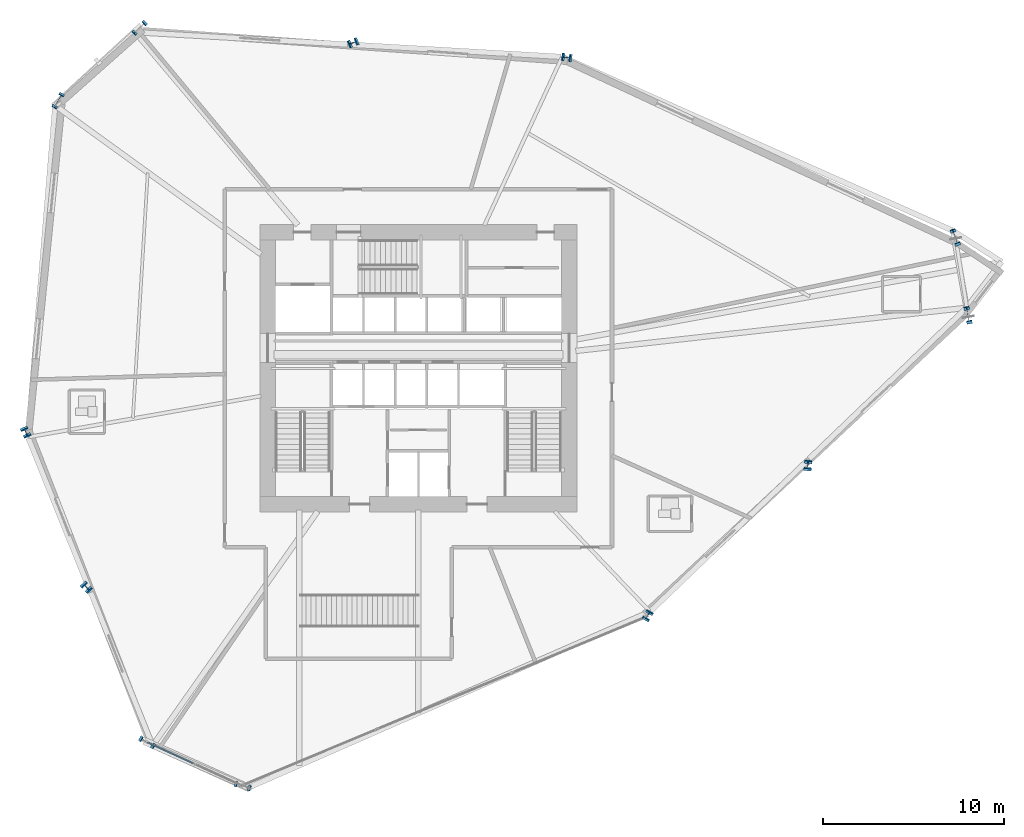
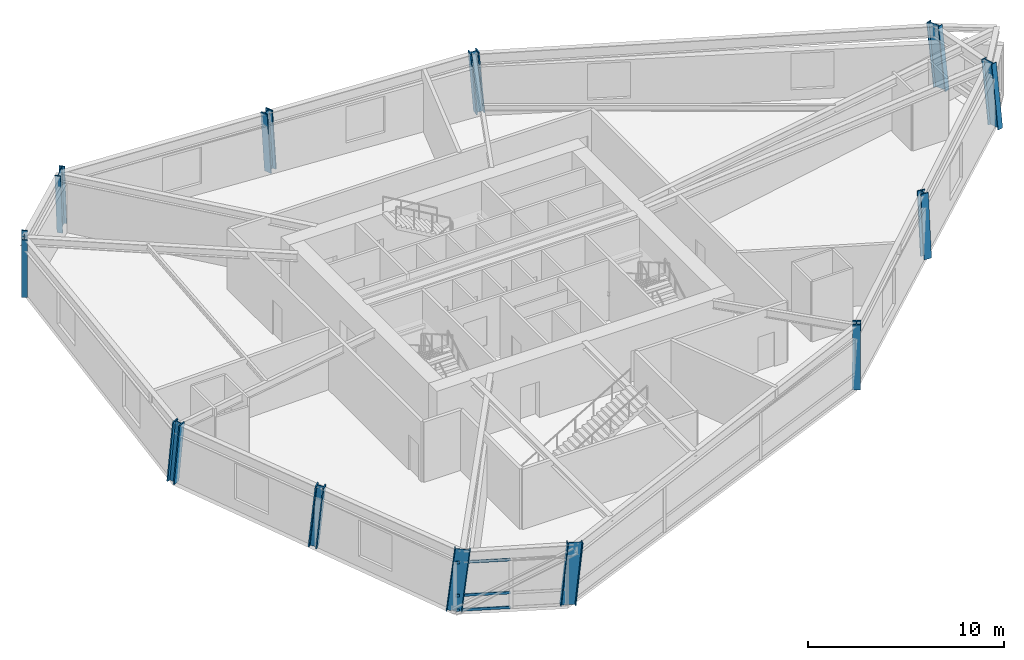
# One storey, part 1 of 19: 12 columns, 3 members, 1 element without a shape of its own.
"""IFC4 building model written with IfcOpenShell, lengths in metres."""

import ifcopenshell
import ifcopenshell.guid

model = None  # the IFC model being written
_history = None  # IfcOwnerHistory: only IFC2X3 demands one
_inside = {}  # id of a spatial element -> (the spatial element, [elements in it])
_under = {}  # id of a project, library or spatial element -> (it, [spatial elements below it])
_declared = {}  # id of a project -> (the project, [libraries it declares])
_typed = {}  # id of a type object -> (the type object, [elements of that type])
_made_of = {}  # id of a material, layer set ... -> (it, [elements and type objects made of it])


def new_model(schema):
    """Start an empty IFC model of exactly this schema.

    Asked for "IFC4X3", IfcOpenShell would pick the latest addendum, in which some entities
    have other attributes; the version numbers below select the first issue.
    IFC2X3 requires an IfcOwnerHistory on every rooted entity: one is made here for all.
    """
    global model, _history
    if schema == "IFC4X3":
        model = ifcopenshell.file(schema_version=(4, 3, 0, 0))
    else:
        model = ifcopenshell.file(schema=schema)
    _inside.clear()
    _under.clear()
    _declared.clear()
    _typed.clear()
    _made_of.clear()
    _history = None
    if model.schema == "IFC2X3":
        org = make("IfcOrganization", Name="unknown")
        user = make(
            "IfcPersonAndOrganization",
            ThePerson=make("IfcPerson", FamilyName="unknown"),
            TheOrganization=org,
        )
        app = make(
            "IfcApplication",
            ApplicationDeveloper=org,
            Version="unknown",
            ApplicationFullName="unknown",
            ApplicationIdentifier="unknown",
        )
        _history = make(
            "IfcOwnerHistory",
            OwningUser=user,
            OwningApplication=app,
            ChangeAction="ADDED",
            CreationDate=0,
        )
    return model


def make(cls, **values):
    """One entity of the class cls with the attributes given. An attribute that is None is left unset."""
    return model.create_entity(
        cls, **{name: value for name, value in values.items() if value is not None}
    )


def rooted(cls, **values):
    """An entity with a GlobalId (a new one), such as an element, a storey or a relation."""
    return make(cls, GlobalId=ifcopenshell.guid.new(), OwnerHistory=_history, **values)


def si_unit(unit_type, name, prefix=None):
    """IfcSIUnit, for example si_unit("LENGTHUNIT", "METRE", prefix="MILLI")."""
    return make("IfcSIUnit", UnitType=unit_type, Prefix=prefix, Name=name)


def assignment(units):
    """IfcUnitAssignment: the units of a project."""
    return None if units is None else make("IfcUnitAssignment", Units=units)


def point(xyz):
    """IfcCartesianPoint."""
    return None if xyz is None else make("IfcCartesianPoint", Coordinates=xyz)


def direction(xyz):
    """IfcDirection."""
    return None if xyz is None else make("IfcDirection", DirectionRatios=xyz)


def frame(location, z_axis=None, x_axis=None):
    """IfcAxis2Placement3D, a coordinate frame: its origin and axes. An axis left out is left unset."""
    return make(
        "IfcAxis2Placement3D",
        Location=point(location),
        Axis=direction(z_axis),
        RefDirection=direction(x_axis),
    )


def frame_2d(location, x_axis=None):
    """IfcAxis2Placement2D, a coordinate frame in the plane: its origin and x axis."""
    return make(
        "IfcAxis2Placement2D", Location=point(location), RefDirection=direction(x_axis)
    )


def origin():
    """The frame at (0, 0, 0) with its axes left unset."""
    return frame((0.0, 0.0, 0.0))


def origin_2d():
    """The frame at (0, 0) in the plane with its x axis left unset."""
    return frame_2d((0.0, 0.0))


def place(relative_to, where):
    """IfcLocalPlacement: puts the frame where relative to a parent placement (None: the world)."""
    return make(
        "IfcLocalPlacement", PlacementRelTo=relative_to, RelativePlacement=where
    )


def context(
    kind, dimensions, precision=None, world=None, true_north=None, identifier=None
):
    """IfcGeometricRepresentationContext, for example the 3D "Model" context."""
    return make(
        "IfcGeometricRepresentationContext",
        ContextIdentifier=identifier,
        ContextType=kind,
        CoordinateSpaceDimension=dimensions,
        Precision=precision,
        WorldCoordinateSystem=world,
        TrueNorth=true_north,
    )


def subcontext(parent, identifier, kind, view, scale=None):
    """IfcGeometricRepresentationSubContext, for example "Body" below "Model"."""
    return make(
        "IfcGeometricRepresentationSubContext",
        ContextIdentifier=identifier,
        ContextType=kind,
        ParentContext=parent,
        TargetScale=scale,
        TargetView=view,
    )


def project(units=None, contexts=None):
    """IfcProject with its units and contexts."""
    return rooted(
        "IfcProject",
        Name="project",
        RepresentationContexts=contexts,
        UnitsInContext=assignment(units),
    )


def spatial(cls, under=None, at=None, **own):
    """A site, building, storey or space (cls), placed at a placement, below another one or the project."""
    s = rooted(cls, ObjectPlacement=at, **own)
    if under is not None:
        _under.setdefault(under.id(), (under, []))[1].append(s)
    return s


def profile(cls, at=None, kind="AREA", **sizes):
    """A parametric profile (cls). Its sizes go by their IFC names, for example OverallWidth=200.0."""
    return make(cls, ProfileType=kind, Position=at, **sizes)


def hollow_rectangle(**sizes):
    """IfcRectangleHollowProfileDef."""
    return profile("IfcRectangleHollowProfileDef", **sizes)


def i_section(**sizes):
    """IfcIShapeProfileDef."""
    return profile("IfcIShapeProfileDef", **sizes)


def extrude(swept, where, along, depth):
    """IfcExtrudedAreaSolid: the profile swept, set in the frame where, extruded along a direction by depth."""
    return make(
        "IfcExtrudedAreaSolid",
        SweptArea=swept,
        Position=where,
        ExtrudedDirection=direction(along),
        Depth=depth,
    )


def shape(context_of_items, identifier, shape_type, items):
    """IfcShapeRepresentation: the items that make up one representation, for example the "Body"."""
    return make(
        "IfcShapeRepresentation",
        ContextOfItems=context_of_items,
        RepresentationIdentifier=identifier,
        RepresentationType=shape_type,
        Items=items,
    )


def source(mapping_origin, context_of_items, identifier, shape_type, items):
    """IfcRepresentationMap: a shape defined once, which mapped items show again and again."""
    return make(
        "IfcRepresentationMap",
        MappingOrigin=mapping_origin,
        MappedRepresentation=shape(context_of_items, identifier, shape_type, items),
    )


def transform(
    local_origin,
    x_axis=None,
    y_axis=None,
    z_axis=None,
    scale=None,
    scale2=None,
    scale3=None,
    uniform=True,
):
    """IfcCartesianTransformationOperator3D, or its non-uniform kind. x_axis, y_axis, z_axis: its Axis1, 2, 3."""
    if uniform:
        return make(
            "IfcCartesianTransformationOperator3D",
            Axis1=direction(x_axis),
            Axis2=direction(y_axis),
            LocalOrigin=point(local_origin),
            Scale=scale,
            Axis3=direction(z_axis),
        )
    return make(
        "IfcCartesianTransformationOperator3DnonUniform",
        Axis1=direction(x_axis),
        Axis2=direction(y_axis),
        LocalOrigin=point(local_origin),
        Scale=scale,
        Axis3=direction(z_axis),
        Scale2=scale2,
        Scale3=scale3,
    )


def mapped(mapping_source, mapping_target):
    """IfcMappedItem: shows the shape of a source again, moved by a transform."""
    return make(
        "IfcMappedItem", MappingSource=mapping_source, MappingTarget=mapping_target
    )


def material(Name=None, Category=None):
    """IfcMaterial."""
    return make("IfcMaterial", Name=Name, Category=Category)


def material_profile(
    of_material, cross_section, Name=None, Category=None, Priority=None
):
    """IfcMaterialProfile: a cross section and its material."""
    return make(
        "IfcMaterialProfile",
        Name=Name,
        Material=of_material,
        Profile=cross_section,
        Priority=Priority,
        Category=Category,
    )


def profile_set(profiles, Name=None, composite=None):
    """IfcMaterialProfileSet."""
    return make(
        "IfcMaterialProfileSet",
        Name=Name,
        MaterialProfiles=profiles,
        CompositeProfile=composite,
    )


def made_of(thing, what):
    """Note that an element or type object is made of a material, layer set ...; save() writes the relation."""
    if what is not None:
        _made_of.setdefault(what.id(), (what, []))[1].append(thing)
    return thing


def type_object(cls, material=None, **own):
    """A type object (cls), such as IfcWallType, which elements share."""
    return made_of(rooted(cls, **own), material)


def element(
    cls,
    number,
    at=None,
    inside=None,
    cuts=None,
    type_object=None,
    material=None,
    context=None,
    identifier="Body",
    shape_type=None,
    held_by="IfcProductDefinitionShape",
    body=None,
    shapes=None,
    **own,
):
    """One element of the class cls, such as IfcWall. Its Tag is "e" and its number.

    at: its placement. inside: the storey or other place that contains it. cuts: it is an
    opening in that element (IfcRelVoidsElement). A single representation is given by context,
    identifier, shape_type and body (its items); several are given by shapes. held_by: the class
    of the entity that holds the representations. save() writes the other relations.
    """
    e = rooted(cls, Tag="e%d" % number, ObjectPlacement=at, **own)
    if body is not None:
        shapes = [shape(context, identifier, shape_type, body)]
    if shapes is not None:
        e.Representation = make(held_by, Representations=shapes)
    if inside is not None:
        _inside.setdefault(inside.id(), (inside, []))[1].append(e)
    if cuts is not None:
        rooted(
            "IfcRelVoidsElement", RelatingBuildingElement=cuts, RelatedOpeningElement=e
        )
    if type_object is not None:
        _typed.setdefault(type_object.id(), (type_object, []))[1].append(e)
    return made_of(e, material)


def aggregate(whole, parts):
    """IfcRelAggregates: a whole, such as a stair, and the parts it consists of."""
    return rooted("IfcRelAggregates", RelatingObject=whole, RelatedObjects=parts)


def save(model, path):
    """Write the relations noted so far, then the file.

    IfcRelAggregates (storeys below a building ...), IfcRelContainedInSpatialStructure (elements
    in a storey), IfcRelDefinesByType, IfcRelAssociatesMaterial and IfcRelDeclares: one each for
    every whole, place, type object, material and project.
    """
    for whole, parts in _under.values():
        aggregate(whole, parts)
    for where, things in _inside.values():
        rooted(
            "IfcRelContainedInSpatialStructure",
            RelatedElements=things,
            RelatingStructure=where,
        )
    for kind, things in _typed.values():
        rooted("IfcRelDefinesByType", RelatedObjects=things, RelatingType=kind)
    for what, things in _made_of.values():
        rooted("IfcRelAssociatesMaterial", RelatedObjects=things, RelatingMaterial=what)
    for by, libraries in _declared.values():
        rooted("IfcRelDeclares", RelatingContext=by, RelatedDefinitions=libraries)
    model.write(path)


model = new_model("IFC4")

# Units and contexts
model_context = context("Model", 3, precision=1e-05, world=origin(), true_north=direction((0.0, 1.0)))
body_context = subcontext(model_context, "Body", "Model", "MODEL_VIEW")
ifc_project = project(units=[si_unit("LENGTHUNIT", "METRE"), si_unit("AREAUNIT", "SQUARE_METRE"), si_unit("VOLUMEUNIT", "CUBIC_METRE"), si_unit("PLANEANGLEUNIT", "RADIAN"), si_unit("MASSUNIT", "GRAM", prefix="KILO")], contexts=[model_context])

# Site, building, storey
site_placement = place(None, origin())
site = spatial("IfcSite", under=ifc_project, at=site_placement, CompositionType="ELEMENT")
building_placement = place(site_placement, origin())
building = spatial("IfcBuilding", under=site, at=building_placement, Name="Olszyna Solenne Hotel", CompositionType="ELEMENT")
storey_placement = place(building_placement, frame((0.0, 0.0, 71.89990234375)))
storey = spatial("IfcBuildingStorey", under=building, at=storey_placement, Name="L18", CompositionType="ELEMENT", Elevation=71.89990234375)

# Columns
ifc_material_1 = material(Name="Steel S460M", Category="steel")
ifc_material_profile_1 = material_profile(ifc_material_1, i_section(OverallWidth=0.30810546875, OverallDepth=0.81396484375, WebThickness=0.02099609375, FlangeThickness=0.0400390625, at=origin_2d()), Name="HEM 800", Category="load-bearing")
ifc_profile_set_1 = profile_set([ifc_material_profile_1], Name="Steel S460M")
column_type_1 = type_object("IfcColumnType", Name="COL-K1", PredefinedType="COLUMN", material=ifc_profile_set_1)
shared_shape_1 = source(origin(), body_context, "Body", "SweptSolid", [
    extrude(i_section(OverallWidth=0.30810546875, OverallDepth=0.81396484375, WebThickness=0.02099609375, FlangeThickness=0.0400390625, at=origin_2d()), origin(), (0.0, 0.0, 1.0), 3.8671875),
])
column_1_placement = place(storey_placement, frame((68.390625, 29.455078125, 0.0), z_axis=(-0.024620663351, 0.126133552244, 0.991707693796), x_axis=(-0.981477077245, -0.191579609672, 0.0)))
element("IfcColumn", 1, at=column_1_placement, inside=storey, type_object=column_type_1, Name="Perimeter framed-tube column COL-K1 C-L18-01", PredefinedType="COLUMN", context=body_context, shape_type="MappedRepresentation", body=[
    mapped(shared_shape_1, transform((0.0, 0.0, 0.0), x_axis=(1.0, 0.0, 0.0), y_axis=(0.0, 1.0, 0.0), z_axis=(0.0, 0.0, 1.0), scale=1.0)),
])
shared_shape_2 = source(origin(), body_context, "Body", "SweptSolid", [
    extrude(i_section(OverallWidth=0.30810546875, OverallDepth=0.81396484375, WebThickness=0.02099609375, FlangeThickness=0.0400390625, at=origin_2d()), origin(), (0.0, 0.0, 1.0), 3.86328125),
])
column_2_placement = place(storey_placement, frame((67.69677734375, 33.7626953125, 0.0), z_axis=(-0.040443883228, 0.113558840876, 0.992707752548), x_axis=(-0.942038054794, -0.335506040661, 0.0)))
element("IfcColumn", 2, at=column_2_placement, inside=storey, type_object=column_type_1, Name="Perimeter framed-tube column COL-K1 C-L18-02", PredefinedType="COLUMN", context=body_context, shape_type="MappedRepresentation", body=[
    mapped(shared_shape_2, transform((0.0, 0.0, 0.0), x_axis=(1.0, 0.0, 0.0), y_axis=(0.0, 1.0, 0.0), z_axis=(0.0, 0.0, 1.0), scale=1.0)),
])
ifc_material_profile_2 = material_profile(ifc_material_1, i_section(OverallWidth=0.424072265625, OverallDepth=0.47412109375, WebThickness=0.04296875, FlangeThickness=0.068115234375, at=origin_2d()), Name="HD 400x634", Category="load-bearing")
ifc_profile_set_2 = profile_set([ifc_material_profile_2], Name="Steel S460M")
column_type_2 = type_object("IfcColumnType", Name="COL-T1", PredefinedType="COLUMN", material=ifc_profile_set_2)
shared_shape_3 = source(origin(), body_context, "Body", "SweptSolid", [
    extrude(i_section(OverallWidth=0.424072265625, OverallDepth=0.47412109375, WebThickness=0.04296875, FlangeThickness=0.068115234375, at=origin_2d()), origin(), (0.0, 0.0, 1.0), 3.84716796875),
])
column_3_placement = place(storey_placement, frame((46.242919921875, 43.76708984375, 0.0), z_axis=(-0.07792844441, 0.011930413314, 0.996887567778), x_axis=(-0.151331289077, -0.988483100992, 0.0)))
element("IfcColumn", 3, at=column_3_placement, inside=storey, type_object=column_type_2, Name="Perimeter framed-tube column COL-T1 C-L18-03", PredefinedType="COLUMN", context=body_context, shape_type="MappedRepresentation", body=[
    mapped(shared_shape_3, transform((0.0, 0.0, 0.0), x_axis=(1.0, 0.0, 0.0), y_axis=(0.0, 1.0, 0.0), z_axis=(0.0, 0.0, 1.0), scale=1.0)),
])
shared_shape_4 = source(origin(), body_context, "Body", "SweptSolid", [
    extrude(i_section(OverallWidth=0.424072265625, OverallDepth=0.47412109375, WebThickness=0.04296875, FlangeThickness=0.068115234375, at=origin_2d()), origin(), (0.0, 0.0, 1.0), 3.848388671875),
])
column_4_placement = place(storey_placement, frame((34.4375, 44.61181640625, 0.0), z_axis=(-0.07650994106, -0.03070548215, 0.996595907219), x_axis=(0.372451852462, -0.928051516672, 0.0)))
element("IfcColumn", 4, at=column_4_placement, inside=storey, type_object=column_type_2, Name="Perimeter framed-tube column COL-T1 C-L18-04", PredefinedType="COLUMN", context=body_context, shape_type="MappedRepresentation", body=[
    mapped(shared_shape_4, transform((0.0, 0.0, 0.0), x_axis=(1.0, 0.0, 0.0), y_axis=(0.0, 1.0, 0.0), z_axis=(0.0, 0.0, 1.0), scale=1.0)),
])
shared_shape_5 = source(origin(), body_context, "Body", "SweptSolid", [
    extrude(i_section(OverallWidth=0.30810546875, OverallDepth=0.81396484375, WebThickness=0.02099609375, FlangeThickness=0.0400390625, at=origin_2d()), origin(), (0.0, 0.0, 1.0), 3.8564453125),
])
column_5_placement = place(storey_placement, frame((22.631591796875, 45.456298828125, 0.0), z_axis=(-0.07483088436, -0.073058240738, 0.994516381065), x_axis=(0.698581004946, -0.715530977337, 0.0)))
element("IfcColumn", 5, at=column_5_placement, inside=storey, type_object=column_type_1, Name="Perimeter framed-tube column COL-K1 C-L18-05", PredefinedType="COLUMN", context=body_context, shape_type="MappedRepresentation", body=[
    mapped(shared_shape_5, transform((0.0, 0.0, 0.0), x_axis=(1.0, 0.0, 0.0), y_axis=(0.0, 1.0, 0.0), z_axis=(0.0, 0.0, 1.0), scale=1.0)),
])
shared_shape_6 = source(origin(), body_context, "Body", "SweptSolid", [
    extrude(i_section(OverallWidth=0.30810546875, OverallDepth=0.81396484375, WebThickness=0.02099609375, FlangeThickness=0.0400390625, at=origin_2d()), origin(), (0.0, 0.0, 1.0), 3.852783203125),
])
column_6_placement = place(storey_placement, frame((18.109619140625, 41.441162109375, 0.0), z_axis=(-0.048286594002, -0.082125230744, 0.995451581602), x_axis=(0.862036791627, -0.506845706188, 0.0)))
element("IfcColumn", 6, at=column_6_placement, inside=storey, type_object=column_type_1, Name="Perimeter framed-tube column COL-K1 C-L18-06", PredefinedType="COLUMN", context=body_context, shape_type="MappedRepresentation", body=[
    mapped(shared_shape_6, transform((0.0, 0.0, 0.0), x_axis=(1.0, 0.0, 0.0), y_axis=(0.0, 1.0, 0.0), z_axis=(0.0, 0.0, 1.0), scale=1.0)),
])
shared_shape_7 = source(origin(), body_context, "Body", "SweptSolid", [
    extrude(i_section(OverallWidth=0.424072265625, OverallDepth=0.47412109375, WebThickness=0.04296875, FlangeThickness=0.068115234375, at=origin_2d()), origin(), (0.0, 0.0, 1.0), 3.85205078125),
])
column_7_placement = place(storey_placement, frame((16.268798828125, 23.12109375, 0.0), z_axis=(0.039042769409, -0.084550412974, 0.995654001058), x_axis=(0.907879691662, 0.419230802147, 0.0)))
element("IfcColumn", 7, at=column_7_placement, inside=storey, type_object=column_type_2, Name="Perimeter framed-tube column COL-T1 C-L18-07", PredefinedType="COLUMN", context=body_context, shape_type="MappedRepresentation", body=[
    mapped(shared_shape_7, transform((0.0, 0.0, 0.0), x_axis=(1.0, 0.0, 0.0), y_axis=(0.0, 1.0, 0.0), z_axis=(0.0, 0.0, 1.0), scale=1.0)),
])
shared_shape_8 = source(origin(), body_context, "Body", "SweptSolid", [
    extrude(i_section(OverallWidth=0.424072265625, OverallDepth=0.47412109375, WebThickness=0.04296875, FlangeThickness=0.068115234375, at=origin_2d()), origin(), (0.0, 0.0, 1.0), 3.853515625),
])
column_8_placement = place(storey_placement, frame((19.60400390625, 14.5400390625, 0.0), z_axis=(0.067283898788, -0.070261623122, 0.995256841866), x_axis=(0.722245711636, 0.691636560647, 0.0)))
element("IfcColumn", 8, at=column_8_placement, inside=storey, type_object=column_type_2, Name="Perimeter framed-tube column COL-T1 C-L18-08", PredefinedType="COLUMN", context=body_context, shape_type="MappedRepresentation", body=[
    mapped(shared_shape_8, transform((0.0, 0.0, 0.0), x_axis=(1.0, 0.0, 0.0), y_axis=(0.0, 1.0, 0.0), z_axis=(0.0, 0.0, 1.0), scale=1.0)),
])
shared_shape_9 = source(origin(), body_context, "Body", "SweptSolid", [
    extrude(i_section(OverallWidth=0.30810546875, OverallDepth=0.81396484375, WebThickness=0.02099609375, FlangeThickness=0.0400390625, at=origin_2d()), origin(), (0.0, 0.0, 1.0), 3.85888671875),
])
column_9_placement = place(storey_placement, frame((22.939453125, 5.959228515625, 0.0), z_axis=(0.095281359124, -0.055992033748, 0.99387441599), x_axis=(0.506644802413, 0.862154884106, 0.0)))
element("IfcColumn", 9, at=column_9_placement, inside=storey, type_object=column_type_1, Name="Perimeter framed-tube column COL-K1 C-L18-09", PredefinedType="COLUMN", context=body_context, shape_type="MappedRepresentation", body=[
    mapped(shared_shape_9, transform((0.0, 0.0, 0.0), x_axis=(1.0, 0.0, 0.0), y_axis=(0.0, 1.0, 0.0), z_axis=(0.0, 0.0, 1.0), scale=1.0)),
])
shared_shape_10 = source(origin(), body_context, "Body", "SweptSolid", [
    extrude(i_section(OverallWidth=0.30810546875, OverallDepth=0.81396484375, WebThickness=0.02099609375, FlangeThickness=0.0400390625, at=origin_2d()), origin(), (0.0, 0.0, 1.0), 3.853515625),
])
column_10_placement = place(storey_placement, frame((28.231689453125, 3.525146484375, 0.0), z_axis=(0.093067685296, -0.029079692002, 0.995235036294), x_axis=(0.29823799613, 0.954491538812, 0.0)))
element("IfcColumn", 10, at=column_10_placement, inside=storey, type_object=column_type_1, Name="Perimeter framed-tube column COL-K1 C-L18-10", PredefinedType="COLUMN", context=body_context, shape_type="MappedRepresentation", body=[
    mapped(shared_shape_10, transform((0.0, 0.0, 0.0), x_axis=(1.0, 0.0, 0.0), y_axis=(0.0, 1.0, 0.0), z_axis=(0.0, 0.0, 1.0), scale=1.0)),
])
shared_shape_11 = source(origin(), body_context, "Body", "SweptSolid", [
    extrude(i_section(OverallWidth=0.424072265625, OverallDepth=0.47412109375, WebThickness=0.04296875, FlangeThickness=0.068115234375, at=origin_2d()), origin(), (0.0, 0.0, 1.0), 3.847900390625),
])
column_11_placement = place(storey_placement, frame((50.64111328125, 12.8818359375, 0.0), z_axis=(0.041559344662, 0.069350173611, 0.996726328684), x_axis=(-0.857769784319, 0.514034042753, 0.0)))
element("IfcColumn", 11, at=column_11_placement, inside=storey, type_object=column_type_2, Name="Perimeter framed-tube column COL-T1 C-L18-11", PredefinedType="COLUMN", context=body_context, shape_type="MappedRepresentation", body=[
    mapped(shared_shape_11, transform((0.0, 0.0, 0.0), x_axis=(1.0, 0.0, 0.0), y_axis=(0.0, 1.0, 0.0), z_axis=(0.0, 0.0, 1.0), scale=1.0)),
])
shared_shape_12 = source(origin(), body_context, "Body", "SweptSolid", [
    extrude(i_section(OverallWidth=0.424072265625, OverallDepth=0.47412109375, WebThickness=0.04296875, FlangeThickness=0.068115234375, at=origin_2d()), origin(), (0.0, 0.0, 1.0), 3.853759765625),
])
column_12_placement = place(storey_placement, frame((59.515869140625, 21.16845703125, 0.0), z_axis=(0.00836218635, 0.097875590238, 0.995163525595), x_axis=(-0.996370128679, 0.085126768275, 0.0)))
element("IfcColumn", 12, at=column_12_placement, inside=storey, type_object=column_type_2, Name="Perimeter framed-tube column COL-T1 C-L18-12", PredefinedType="COLUMN", context=body_context, shape_type="MappedRepresentation", body=[
    mapped(shared_shape_12, transform((0.0, 0.0, 0.0), x_axis=(1.0, 0.0, 0.0), y_axis=(0.0, 1.0, 0.0), z_axis=(0.0, 0.0, 1.0), scale=1.0)),
])

# Curtain wall, members
ifc_material_2 = material(Name="Anodised bronze aluminium", Category="aluminium")
curtain_wall_type = type_object("IfcCurtainWallType", Name="CW-SYS-6", PredefinedType="NOTDEFINED", material=ifc_material_2)
curtain_wall_placement = place(storey_placement, origin())
curtain_wall = element("IfcCurtainWall", 13, at=curtain_wall_placement, inside=storey, type_object=curtain_wall_type, Name="Unitised curtain wall CW-SYS-6 CW-L18-02", PredefinedType="NOTDEFINED")
ifc_material_profile_3 = material_profile(ifc_material_2, hollow_rectangle(XDim=0.074951171875, YDim=0.159912109375, WallThickness=0.00390625, at=origin_2d()), Name="TRAN 160x75x4", Category="load-bearing")
ifc_profile_set_3 = profile_set([ifc_material_profile_3], Name="Anodised bronze aluminium")
member_type = type_object("IfcMemberType", Name="CW-T1", PredefinedType="USERDEFINED", material=ifc_profile_set_3)
shared_shape_13 = source(origin(), body_context, "Body", "SweptSolid", [
    extrude(hollow_rectangle(XDim=0.074951171875, YDim=0.159912109375, WallThickness=0.00390625, at=origin_2d()), origin(), (0.0, 0.0, 1.0), 2.792724609375),
])
member_1_placement = place(storey_placement, frame((23.011962890625, 5.92578125, 0.03759765625), z_axis=(0.908549521663, -0.417777173485, 0.0), x_axis=(0.417777173485, 0.908549521663, 0.0)))
member_1 = element("IfcMember", 14, at=member_1_placement, type_object=member_type, Name="Curtain-wall transom CW-T1 CT-L18-02-01", ObjectType="TRANSOM", PredefinedType="USERDEFINED", context=body_context, shape_type="MappedRepresentation", body=[
    mapped(shared_shape_13, transform((0.0, 0.0, 0.0), x_axis=(1.0, 0.0, 0.0), y_axis=(0.0, 1.0, 0.0), z_axis=(0.0, 0.0, 1.0), scale=1.0)),
])
member_2_placement = place(storey_placement, frame((23.011962890625, 5.92578125, 0.9501953125), z_axis=(0.908549521663, -0.417777173485, 0.0), x_axis=(0.417777173485, 0.908549521663, 0.0)))
member_2 = element("IfcMember", 15, at=member_2_placement, type_object=member_type, Name="Curtain-wall transom CW-T1 CT-L18-02-02", ObjectType="TRANSOM", PredefinedType="USERDEFINED", context=body_context, shape_type="MappedRepresentation", body=[
    mapped(shared_shape_13, transform((0.0, 0.0, 0.0), x_axis=(1.0, 0.0, 0.0), y_axis=(0.0, 1.0, 0.0), z_axis=(0.0, 0.0, 1.0), scale=1.0)),
])
member_3_placement = place(storey_placement, frame((23.011962890625, 5.92578125, 3.004638671875), z_axis=(0.908549521663, -0.417777173485, 0.0), x_axis=(0.417777173485, 0.908549521663, 0.0)))
member_3 = element("IfcMember", 16, at=member_3_placement, type_object=member_type, Name="Curtain-wall transom CW-T1 CT-L18-02-03", ObjectType="TRANSOM", PredefinedType="USERDEFINED", context=body_context, shape_type="MappedRepresentation", body=[
    mapped(shared_shape_13, transform((0.0, 0.0, 0.0), x_axis=(1.0, 0.0, 0.0), y_axis=(0.0, 1.0, 0.0), z_axis=(0.0, 0.0, 1.0), scale=1.0)),
])
aggregate(curtain_wall, [member_1, member_2, member_3])

save(model, "model.ifc")
